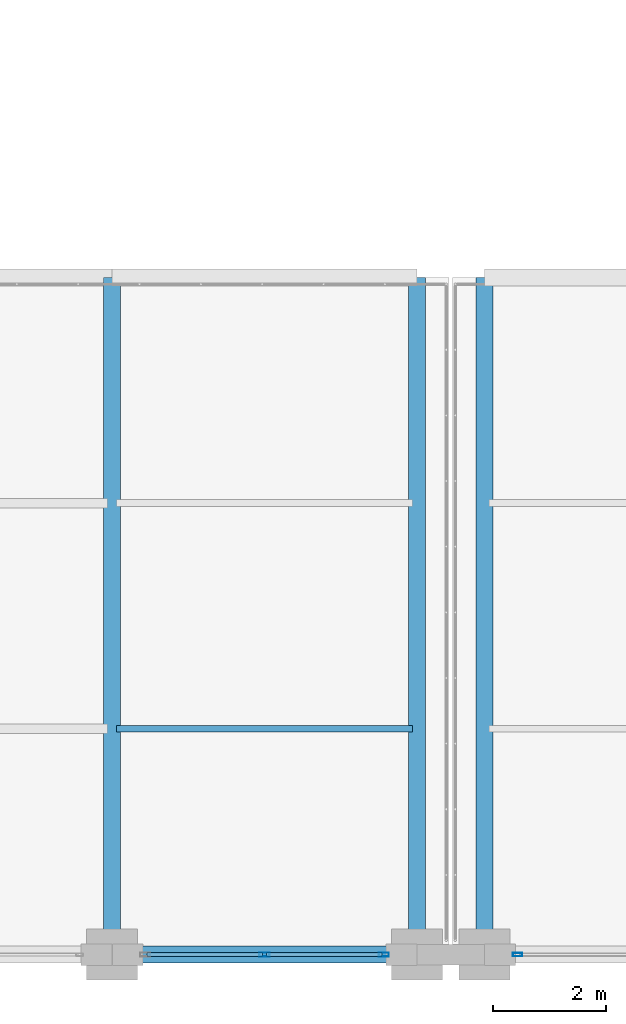
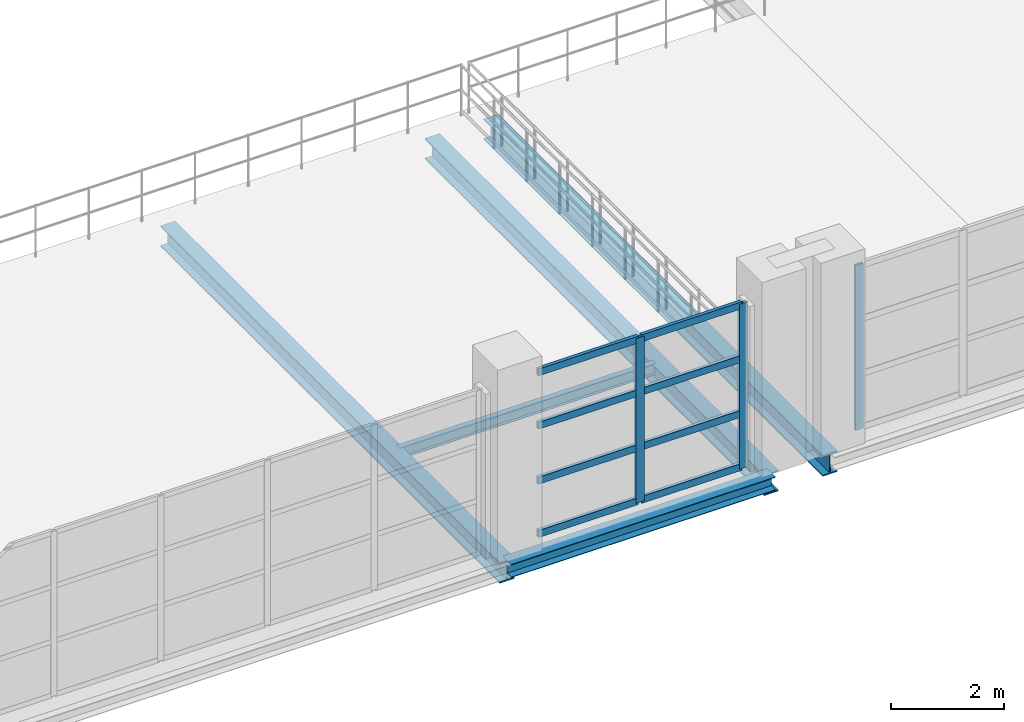
# One storey, part 68 of 158: 11 members, 5 beams, 2 elements without a shape of their own.
"""IFC4 building model written with IfcOpenShell, lengths in metres."""

from ifc_helpers import new_model, si_unit, direction, frame, origin, origin_2d, place, context, subcontext, project, spatial, hollow_rectangle, i_section, extrude, material, layer, layer_set, material_profile, profile_set, type_object, element, aggregate, save


model = new_model("IFC4")

# Units and contexts
model_context = context("Model", 3, precision=1e-05, world=origin(), true_north=direction((0.0, 1.0)))
body_context = subcontext(model_context, "Body", "Model", "MODEL_VIEW")
ifc_project = project(units=[si_unit("LENGTHUNIT", "METRE"), si_unit("AREAUNIT", "SQUARE_METRE"), si_unit("VOLUMEUNIT", "CUBIC_METRE"), si_unit("PLANEANGLEUNIT", "RADIAN"), si_unit("MASSUNIT", "GRAM", prefix="KILO")], contexts=[model_context])

# Site, building, storey
site_placement = place(None, origin())
site = spatial("IfcSite", under=ifc_project, at=site_placement, CompositionType="ELEMENT")
building_placement = place(site_placement, origin())
building = spatial("IfcBuilding", under=site, at=building_placement, Name="Zilviju Railside Exhibition Hall", CompositionType="ELEMENT")
storey_placement = place(building_placement, frame((0.0, 0.0, 4.199951171875)))
storey = spatial("IfcBuildingStorey", under=building, at=storey_placement, Name="L02", CompositionType="ELEMENT", Elevation=4.199951171875)

# Beams
ifc_material_1 = material(Name="Steel S355J2", Category="steel")
ifc_material_profile_1 = material_profile(ifc_material_1, i_section(OverallWidth=0.300048828125, OverallDepth=0.2900390625, WebThickness=0.008544921875, FlangeThickness=0.013916015625, at=origin_2d()), Name="HEA 300")
ifc_profile_set_1 = profile_set([ifc_material_profile_1], Name="Steel S355J2")
beam_type_1 = type_object("IfcBeamType", Name="BM-HEA300", PredefinedType="SPANDREL", material=ifc_profile_set_1)
beam_1_placement = place(storey_placement, frame((168.0, 0.0, -0.474853515625), z_axis=(1.0, 0.0, 0.0), x_axis=(0.0, 1.0, 0.0)))
element("IfcBeam", 1, at=beam_1_placement, inside=storey, type_object=beam_type_1, Name="Primary Girder L02 Y=0.0 (168.0..173.4)", PredefinedType="SPANDREL", context=body_context, shape_type="SweptSolid", body=[
    extrude(i_section(OverallWidth=0.300048828125, OverallDepth=0.2900390625, WebThickness=0.008544921875, FlangeThickness=0.013916015625, at=origin_2d()), origin(), (0.0, 0.0, 1.0), 5.39990234375),
])
ifc_material_profile_2 = material_profile(ifc_material_1, i_section(OverallWidth=0.300048828125, OverallDepth=0.449951171875, WebThickness=0.013916015625, FlangeThickness=0.02587890625, at=origin_2d()), Name="HEB 450")
ifc_profile_set_2 = profile_set([ifc_material_profile_2], Name="Steel S355J2")
beam_type_2 = type_object("IfcBeamType", Name="BM-HEB450", PredefinedType="BEAM", material=ifc_profile_set_2)
for number, where, z_axis, x_axis, name in (
    (2, (168.0, 0.0, -0.554931640625), (0.0, 1.0, 0.0), (-1.0, 0.0, 0.0), "Transverse Girder L02 X=168.0 (0.0..12.0)"),
    (3, (173.39990234375, 0.0, -0.554931640625), (0.0, 1.0, 0.0), (-1.0, 0.0, 0.0), "Transverse Girder L02 X=173.4 (0.0..12.0)"),
    (4, (174.60009765625, 0.0, -0.554931640625), (0.0, 1.0, 0.0), (-1.0, 0.0, 0.0), "Transverse Girder L02 X=174.6 (0.0..12.0)"),
):
    element("IfcBeam", number, at=place(storey_placement, frame(where, z_axis=z_axis, x_axis=x_axis)), inside=storey, type_object=beam_type_2, Name=name, PredefinedType="BEAM", context=body_context, shape_type="SweptSolid", body=[
        extrude(i_section(OverallWidth=0.300048828125, OverallDepth=0.449951171875, WebThickness=0.013916015625, FlangeThickness=0.02587890625, at=origin_2d()), origin(), (0.0, 0.0, 1.0), 12.0),
    ])
ifc_material_profile_3 = material_profile(ifc_material_1, i_section(OverallWidth=0.1201171875, OverallDepth=0.239990234375, WebThickness=0.006103515625, FlangeThickness=0.009765625, at=origin_2d()), Name="IPE 240")
ifc_profile_set_3 = profile_set([ifc_material_profile_3], Name="Steel S355J2")
beam_type_3 = type_object("IfcBeamType", Name="BM-IPE240", PredefinedType="JOIST", material=ifc_profile_set_3)
beam_2_placement = place(storey_placement, frame((168.080078125, 4.0, -0.449951171875), z_axis=(1.0, 0.0, 0.0), x_axis=(0.0, 1.0, 0.0)))
element("IfcBeam", 5, at=beam_2_placement, inside=storey, type_object=beam_type_3, Name="Composite Floor Joist L02 Y=4.00 (168.0..173.4)", PredefinedType="JOIST", context=body_context, shape_type="SweptSolid", body=[
    extrude(i_section(OverallWidth=0.1201171875, OverallDepth=0.239990234375, WebThickness=0.006103515625, FlangeThickness=0.009765625, at=origin_2d()), origin(), (0.0, 0.0, 1.0), 5.239990234375),
])

# Curtain wall, member
ifc_material_2 = material(Name="Thermally broken aluminium-steel triple-glazed curtain wall", Category="steel")
ifc_layer_1 = layer(ifc_material_2, 0.179931640625)
ifc_layer_set_1 = layer_set([ifc_layer_1], Name="Thermally broken aluminium-steel triple-glazed curtain wall")
curtain_wall_type_1 = type_object("IfcCurtainWallType", Name="CW-BAY-14", PredefinedType="USERDEFINED", material=ifc_layer_set_1)
curtain_wall_1_placement = place(storey_placement, origin())
curtain_wall_1 = element("IfcCurtainWall", 6, at=curtain_wall_1_placement, inside=storey, type_object=curtain_wall_type_1, Name="South Hall Facade Curtain Wall L02 (175..180)", ObjectType="GLAZED CURTAIN WALL", PredefinedType="USERDEFINED")
ifc_material_3 = material(Name="Thermally broken anodized aluminium mullion", Category="aluminium")
ifc_material_profile_4 = material_profile(ifc_material_3, hollow_rectangle(XDim=0.06494140625, YDim=0.159912109375, WallThickness=0.0048828125, at=origin_2d()), Name="MULLION 160x65x5")
ifc_profile_set_4 = profile_set([ifc_material_profile_4], Name="Thermally broken anodized aluminium mullion")
member_type_1 = type_object("IfcMemberType", Name="CWM-65x160", PredefinedType="MULLION", material=ifc_profile_set_4)
member_1_placement = place(storey_placement, frame((175.1826171875, 0.0, 0.0), z_axis=(0.0, 0.0, 1.0), x_axis=(0.0, -1.0, 0.0)))
member_1 = element("IfcMember", 7, at=member_1_placement, type_object=member_type_1, Name="CW-14 mullion 3", PredefinedType="MULLION", context=body_context, shape_type="SweptSolid", body=[
    extrude(hollow_rectangle(XDim=0.06494140625, YDim=0.159912109375, WallThickness=0.0048828125, at=origin_2d()), origin(), (0.0, 0.0, 1.0), 3.56005859375),
])
aggregate(curtain_wall_1, [member_1])

# Curtain wall, members
ifc_layer_2 = layer(ifc_material_2, 0.179931640625)
ifc_layer_set_2 = layer_set([ifc_layer_2], Name="Thermally broken aluminium-steel triple-glazed curtain wall")
curtain_wall_type_2 = type_object("IfcCurtainWallType", Name="CW-BAY-13", PredefinedType="USERDEFINED", material=ifc_layer_set_2)
curtain_wall_2_placement = place(storey_placement, origin())
curtain_wall_2 = element("IfcCurtainWall", 8, at=curtain_wall_2_placement, inside=storey, type_object=curtain_wall_type_2, Name="South Hall Facade Curtain Wall L02 (168..173)", ObjectType="GLAZED CURTAIN WALL", PredefinedType="USERDEFINED")
ifc_material_profile_5 = material_profile(ifc_material_3, hollow_rectangle(XDim=0.070068359375, YDim=0.179931640625, WallThickness=0.0048828125, at=origin_2d()), Name="MULLION 180x70x5")
ifc_profile_set_5 = profile_set([ifc_material_profile_5], Name="Thermally broken anodized aluminium mullion")
member_type_2 = type_object("IfcMemberType", Name="CWM-70x180", PredefinedType="MULLION", material=ifc_profile_set_5)
member_2_placement = place(storey_placement, frame((172.81494140625, 0.0, 0.0), z_axis=(0.0, 0.0, 1.0), x_axis=(0.0, -1.0, 0.0)))
member_2 = element("IfcMember", 9, at=member_2_placement, type_object=member_type_2, Name="CW-13 mullion 1", PredefinedType="MULLION", context=body_context, shape_type="SweptSolid", body=[
    extrude(hollow_rectangle(XDim=0.070068359375, YDim=0.179931640625, WallThickness=0.0048828125, at=origin_2d()), origin(), (0.0, 0.0, 1.0), 3.56005859375),
])
member_3_placement = place(storey_placement, frame((170.699951171875, 0.0, 0.0), z_axis=(0.0, 0.0, 1.0), x_axis=(0.0, -1.0, 0.0)))
member_3 = element("IfcMember", 10, at=member_3_placement, type_object=member_type_2, Name="CW-13 mullion 2", PredefinedType="MULLION", context=body_context, shape_type="SweptSolid", body=[
    extrude(hollow_rectangle(XDim=0.070068359375, YDim=0.179931640625, WallThickness=0.0048828125, at=origin_2d()), origin(), (0.0, 0.0, 1.0), 3.56005859375),
])
ifc_material_4 = material(Name="Thermally broken anodized aluminium transom", Category="aluminium")
ifc_material_profile_6 = material_profile(ifc_material_4, hollow_rectangle(XDim=0.070068359375, YDim=0.14990234375, WallThickness=0.0048828125, at=origin_2d()), Name="TRANSOM 150x70x5")
ifc_profile_set_6 = profile_set([ifc_material_profile_6], Name="Thermally broken anodized aluminium transom")
member_type_3 = type_object("IfcMemberType", Name="CWT-70x150", PredefinedType="USERDEFINED", material=ifc_profile_set_6)
member_4_placement = place(storey_placement, frame((172.780029296875, 0.0, 0.03515625), z_axis=(-1.0, 0.0, 0.0), x_axis=(0.0, -1.0, 0.0)))
member_4 = element("IfcMember", 11, at=member_4_placement, type_object=member_type_3, Name="CW-13 transom 1.1", ObjectType="TRANSOM", PredefinedType="USERDEFINED", context=body_context, shape_type="SweptSolid", body=[
    extrude(hollow_rectangle(XDim=0.070068359375, YDim=0.14990234375, WallThickness=0.0048828125, at=origin_2d()), origin(), (0.0, 0.0, 1.0), 2.044921875),
])
member_5_placement = place(storey_placement, frame((172.780029296875, 0.0, 1.18701171875), z_axis=(-1.0, 0.0, 0.0), x_axis=(0.0, -1.0, 0.0)))
member_5 = element("IfcMember", 12, at=member_5_placement, type_object=member_type_3, Name="CW-13 transom 1.2", ObjectType="TRANSOM", PredefinedType="USERDEFINED", context=body_context, shape_type="SweptSolid", body=[
    extrude(hollow_rectangle(XDim=0.070068359375, YDim=0.14990234375, WallThickness=0.0048828125, at=origin_2d()), origin(), (0.0, 0.0, 1.0), 2.044921875),
])
member_6_placement = place(storey_placement, frame((172.780029296875, 0.0, 2.373046875), z_axis=(-1.0, 0.0, 0.0), x_axis=(0.0, -1.0, 0.0)))
member_6 = element("IfcMember", 13, at=member_6_placement, type_object=member_type_3, Name="CW-13 transom 1.3", ObjectType="TRANSOM", PredefinedType="USERDEFINED", context=body_context, shape_type="SweptSolid", body=[
    extrude(hollow_rectangle(XDim=0.070068359375, YDim=0.14990234375, WallThickness=0.0048828125, at=origin_2d()), origin(), (0.0, 0.0, 1.0), 2.044921875),
])
member_7_placement = place(storey_placement, frame((172.780029296875, 0.0, 3.525146484375), z_axis=(-1.0, 0.0, 0.0), x_axis=(0.0, -1.0, 0.0)))
member_7 = element("IfcMember", 14, at=member_7_placement, type_object=member_type_3, Name="CW-13 transom 1.4", ObjectType="TRANSOM", PredefinedType="USERDEFINED", context=body_context, shape_type="SweptSolid", body=[
    extrude(hollow_rectangle(XDim=0.070068359375, YDim=0.14990234375, WallThickness=0.0048828125, at=origin_2d()), origin(), (0.0, 0.0, 1.0), 2.044921875),
])
member_8_placement = place(storey_placement, frame((170.6650390625, 0.0, 0.03515625), z_axis=(-1.0, 0.0, 0.0), x_axis=(0.0, -1.0, 0.0)))
member_8 = element("IfcMember", 15, at=member_8_placement, type_object=member_type_3, Name="CW-13 transom 2.1", ObjectType="TRANSOM", PredefinedType="USERDEFINED", context=body_context, shape_type="SweptSolid", body=[
    extrude(hollow_rectangle(XDim=0.070068359375, YDim=0.14990234375, WallThickness=0.0048828125, at=origin_2d()), origin(), (0.0, 0.0, 1.0), 2.044921875),
])
member_9_placement = place(storey_placement, frame((170.6650390625, 0.0, 1.18701171875), z_axis=(-1.0, 0.0, 0.0), x_axis=(0.0, -1.0, 0.0)))
member_9 = element("IfcMember", 16, at=member_9_placement, type_object=member_type_3, Name="CW-13 transom 2.2", ObjectType="TRANSOM", PredefinedType="USERDEFINED", context=body_context, shape_type="SweptSolid", body=[
    extrude(hollow_rectangle(XDim=0.070068359375, YDim=0.14990234375, WallThickness=0.0048828125, at=origin_2d()), origin(), (0.0, 0.0, 1.0), 2.044921875),
])
member_10_placement = place(storey_placement, frame((170.6650390625, 0.0, 2.373046875), z_axis=(-1.0, 0.0, 0.0), x_axis=(0.0, -1.0, 0.0)))
member_10 = element("IfcMember", 17, at=member_10_placement, type_object=member_type_3, Name="CW-13 transom 2.3", ObjectType="TRANSOM", PredefinedType="USERDEFINED", context=body_context, shape_type="SweptSolid", body=[
    extrude(hollow_rectangle(XDim=0.070068359375, YDim=0.14990234375, WallThickness=0.0048828125, at=origin_2d()), origin(), (0.0, 0.0, 1.0), 2.044921875),
])
member_11_placement = place(storey_placement, frame((170.6650390625, 0.0, 3.525146484375), z_axis=(-1.0, 0.0, 0.0), x_axis=(0.0, -1.0, 0.0)))
member_11 = element("IfcMember", 18, at=member_11_placement, type_object=member_type_3, Name="CW-13 transom 2.4", ObjectType="TRANSOM", PredefinedType="USERDEFINED", context=body_context, shape_type="SweptSolid", body=[
    extrude(hollow_rectangle(XDim=0.070068359375, YDim=0.14990234375, WallThickness=0.0048828125, at=origin_2d()), origin(), (0.0, 0.0, 1.0), 2.044921875),
])
aggregate(curtain_wall_2, [member_2, member_3, member_4, member_5, member_6, member_7, member_8, member_9, member_10, member_11])

save(model, "model.ifc")
